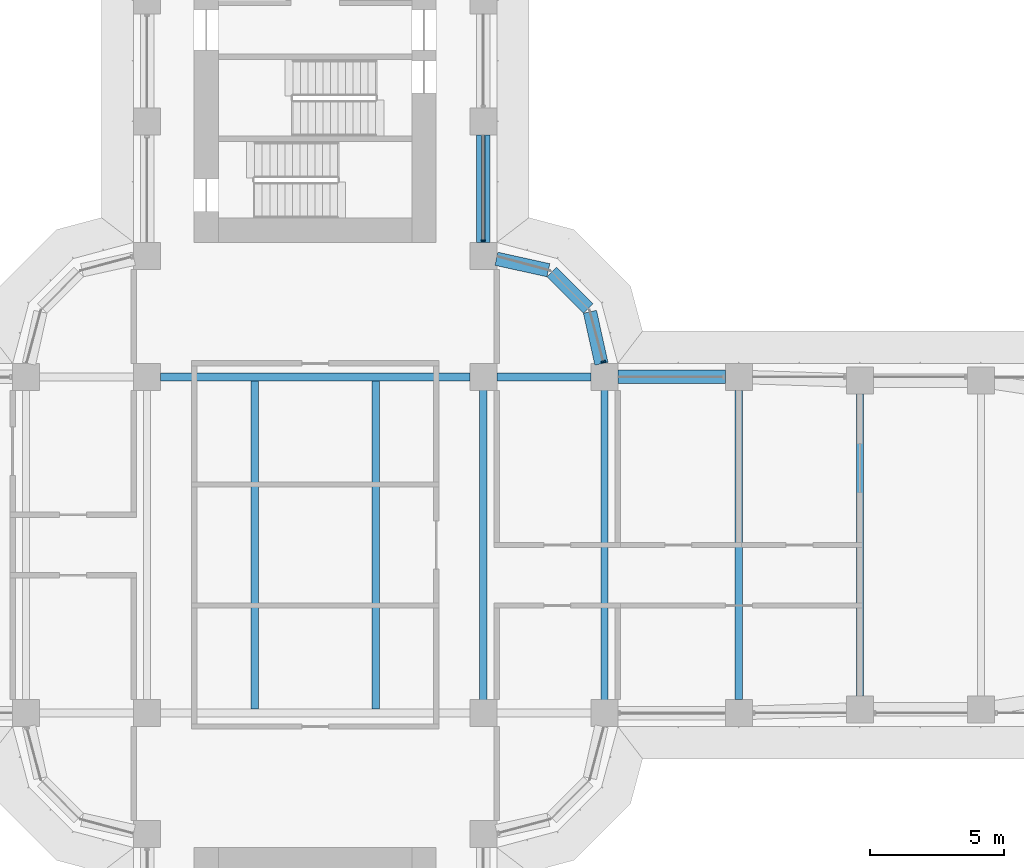
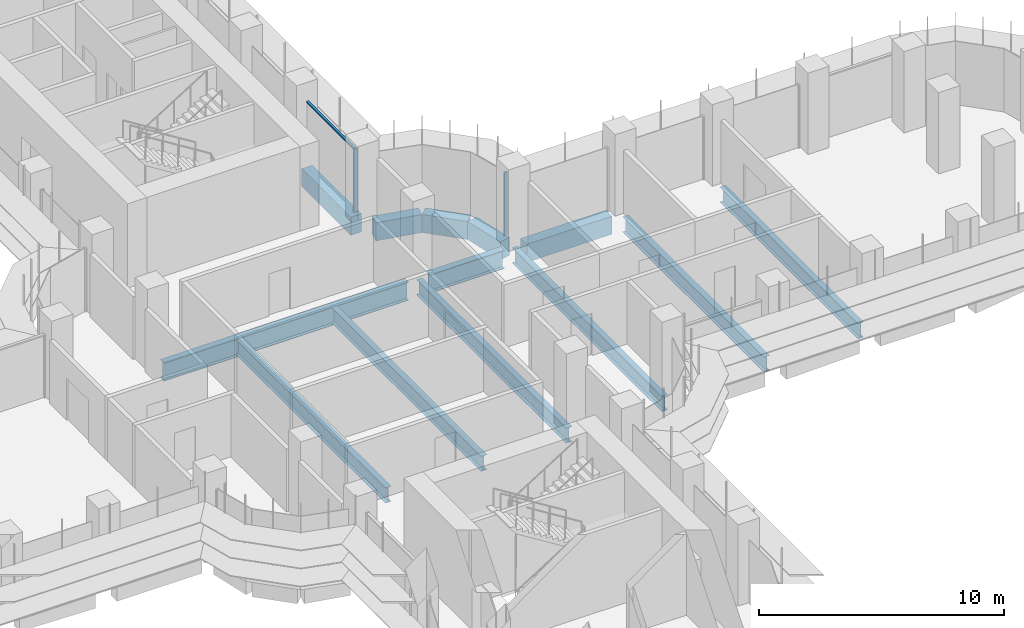
# One storey, part 8 of 23: 13 beams, 3 members, 2 elements without a shape of their own.
"""IFC4 building model written with IfcOpenShell, lengths in metres."""

from ifc_helpers import new_model, si_unit, direction, frame, origin, origin_2d, place, context, subcontext, project, spatial, polyline, rectangle, i_section, outline, extrude, source, transform, mapped, material, material_profile, profile_set, type_object, element, aggregate, save


model = new_model("IFC4")

# Units and contexts
model_context = context("Model", 3, precision=1e-05, world=origin(), true_north=direction((0.0, 1.0)))
body_context = subcontext(model_context, "Body", "Model", "MODEL_VIEW")
ifc_project = project(units=[si_unit("LENGTHUNIT", "METRE"), si_unit("AREAUNIT", "SQUARE_METRE"), si_unit("VOLUMEUNIT", "CUBIC_METRE"), si_unit("PLANEANGLEUNIT", "RADIAN"), si_unit("MASSUNIT", "GRAM", prefix="KILO")], contexts=[model_context])

# Site, building, storey
site_placement = place(None, origin())
site = spatial("IfcSite", under=ifc_project, at=site_placement, CompositionType="ELEMENT")
building_placement = place(site_placement, origin())
building = spatial("IfcBuilding", under=site, at=building_placement, Name="Zarbagh Exchange Tower", CompositionType="ELEMENT")
storey_placement = place(building_placement, frame((0.0, 0.0, 69.0)))
storey = spatial("IfcBuildingStorey", under=building, at=storey_placement, Name="L15", CompositionType="ELEMENT", Elevation=69.0)

# Beams
ifc_material_1 = material(Name="Steel ASTM A992 Gr 50", Category="steel")
ifc_material_profile_1 = material_profile(ifc_material_1, i_section(OverallWidth=0.2666015625, OverallDepth=0.76708984375, WebThickness=0.014892578125, FlangeThickness=0.023681640625, at=origin_2d()), Name="W30X124")
ifc_profile_set_1 = profile_set([ifc_material_profile_1], Name="Steel ASTM A992 Gr 50")
beam_type_1 = type_object("IfcBeamType", Name="Floor beam W30X124", PredefinedType="BEAM", material=ifc_profile_set_1)
for number, where, z_axis, x_axis, name in (
    (1, (-2.25, -6.09765625, -0.533447265625), (0.0, 1.0, 0.0), (-1.0, 0.0, 0.0), "Steel floor beam"),
    (2, (2.25, -6.09765625, -0.533447265625), (0.0, 1.0, 0.0), (-1.0, 0.0, 0.0), "Steel floor beam"),
    (3, (6.25, -6.09765625, -0.533447265625), (0.0, 1.0, 0.0), (-1.0, 0.0, 0.0), "Steel floor beam"),
    (4, (10.75, -6.09765625, -0.533447265625), (0.0, 1.0, 0.0), (-1.0, 0.0, 0.0), "Steel floor beam"),
):
    element("IfcBeam", number, at=place(storey_placement, frame(where, z_axis=z_axis, x_axis=x_axis)), inside=storey, type_object=beam_type_1, Name=name, PredefinedType="BEAM", context=body_context, shape_type="SweptSolid", body=[
        extrude(i_section(OverallWidth=0.2666015625, OverallDepth=0.76708984375, WebThickness=0.014892578125, FlangeThickness=0.023681640625, at=origin_2d()), origin(), (0.0, 0.0, 1.0), 12.1953125),
    ])
beam_1_placement = place(storey_placement, frame((15.75, -5.75, -0.533447265625), z_axis=(0.0, 1.0, 0.0), x_axis=(-1.0, 0.0, 0.0)))
element("IfcBeam", 5, at=beam_1_placement, inside=storey, type_object=beam_type_1, Name="Steel floor beam", PredefinedType="BEAM", context=body_context, shape_type="SweptSolid", body=[
    extrude(i_section(OverallWidth=0.2666015625, OverallDepth=0.76708984375, WebThickness=0.014892578125, FlangeThickness=0.023681640625, at=origin_2d()), origin(), (0.0, 0.0, 1.0), 11.5),
])
beam_2_placement = place(storey_placement, frame((20.25, -5.610107421875, -0.533447265625), z_axis=(0.0, 1.0, 0.0), x_axis=(-1.0, 0.0, 0.0)))
element("IfcBeam", 6, at=beam_2_placement, inside=storey, type_object=beam_type_1, Name="Steel floor beam", PredefinedType="BEAM", context=body_context, shape_type="SweptSolid", body=[
    extrude(i_section(OverallWidth=0.2666015625, OverallDepth=0.76708984375, WebThickness=0.014892578125, FlangeThickness=0.023681640625, at=origin_2d()), origin(), (0.0, 0.0, 1.0), 11.22021484375),
])
ifc_material_profile_2 = material_profile(ifc_material_1, i_section(OverallWidth=0.3046875, OverallDepth=0.91943359375, WebThickness=0.017333984375, FlangeThickness=0.02783203125, at=origin_2d()), Name="W36X170")
ifc_profile_set_2 = profile_set([ifc_material_profile_2], Name="Steel ASTM A992 Gr 50")
beam_type_2 = type_object("IfcBeamType", Name="Floor girder W36X170", PredefinedType="BEAM", material=ifc_profile_set_2)
beam_3_placement = place(storey_placement, frame((-5.75, 6.25, -0.609619140625), z_axis=(1.0, 0.0, 0.0), x_axis=(0.0, 1.0, 0.0)))
element("IfcBeam", 7, at=beam_3_placement, inside=storey, type_object=beam_type_2, Name="Steel girder", PredefinedType="BEAM", context=body_context, shape_type="SweptSolid", body=[
    extrude(i_section(OverallWidth=0.3046875, OverallDepth=0.91943359375, WebThickness=0.017333984375, FlangeThickness=0.02783203125, at=origin_2d()), origin(), (0.0, 0.0, 1.0), 11.5),
])
beam_4_placement = place(storey_placement, frame((6.75, 6.25, -0.609619140625), z_axis=(1.0, 0.0, 0.0), x_axis=(0.0, 1.0, 0.0)))
element("IfcBeam", 8, at=beam_4_placement, inside=storey, type_object=beam_type_2, Name="Steel girder", PredefinedType="BEAM", context=body_context, shape_type="SweptSolid", body=[
    extrude(i_section(OverallWidth=0.3046875, OverallDepth=0.91943359375, WebThickness=0.017333984375, FlangeThickness=0.02783203125, at=origin_2d()), origin(), (0.0, 0.0, 1.0), 3.5),
])
ifc_material_2 = material(Name="Concrete C60/75", Category="concrete")
ifc_material_profile_3 = material_profile(ifc_material_2, rectangle(XDim=0.5, YDim=0.89990234375, at=origin_2d()), Name="RC spandrel beam 500 x 900 C60/75")
ifc_profile_set_3 = profile_set([ifc_material_profile_3], Name="Concrete C60/75")
beam_type_3 = type_object("IfcBeamType", Name="RC spandrel beam 500 x 900 C60/75", PredefinedType="SPANDREL", material=ifc_profile_set_3)
beam_5_placement = place(storey_placement, frame((6.25, 15.25, -0.60009765625), z_axis=(0.0, -1.0, 0.0), x_axis=(1.0, 0.0, 0.0)))
element("IfcBeam", 9, at=beam_5_placement, inside=storey, type_object=beam_type_3, Name="RC spandrel beam", PredefinedType="SPANDREL", context=body_context, shape_type="SweptSolid", body=[
    extrude(rectangle(XDim=0.5, YDim=0.89990234375, at=origin_2d()), origin(), (0.0, 0.0, 1.0), 4.0),
])
beam_6_placement = place(storey_placement, frame((6.73828125, 10.64208984375, -0.60009765625), z_axis=(0.976375426825, -0.216081063242, 0.0), x_axis=(0.216081063242, 0.976375426825, 0.0)))
element("IfcBeam", 10, at=beam_6_placement, inside=storey, type_object=beam_type_3, Name="RC spandrel beam", PredefinedType="SPANDREL", context=body_context, shape_type="SweptSolid", body=[
    extrude(rectangle(XDim=0.5, YDim=0.89990234375, at=origin_2d()), origin(), (0.0, 0.0, 1.0), 1.978271484375),
])
beam_7_placement = place(storey_placement, frame((8.792724609375, 10.147216796875, -0.60009765625), z_axis=(0.707106781187, -0.707106781187, 0.0), x_axis=(0.707106781187, 0.707106781187, 0.0)))
element("IfcBeam", 11, at=beam_7_placement, inside=storey, type_object=beam_type_3, Name="RC spandrel beam", PredefinedType="SPANDREL", context=body_context, shape_type="SweptSolid", body=[
    extrude(rectangle(XDim=0.5, YDim=0.89990234375, at=origin_2d()), origin(), (0.0, 0.0, 1.0), 1.91552734375),
])
beam_8_placement = place(storey_placement, frame((10.214599609375, 8.669921875, -0.60009765625), z_axis=(0.216081063242, -0.976375426825, 0.0), x_axis=(0.976375426825, 0.216081063242, 0.0)))
element("IfcBeam", 12, at=beam_8_placement, inside=storey, type_object=beam_type_3, Name="RC spandrel beam", PredefinedType="SPANDREL", context=body_context, shape_type="SweptSolid", body=[
    extrude(rectangle(XDim=0.5, YDim=0.89990234375, at=origin_2d()), origin(), (0.0, 0.0, 1.0), 1.978271484375),
])
beam_9_placement = place(storey_placement, frame((11.25, 6.25, -0.60009765625), z_axis=(1.0, 0.0, 0.0), x_axis=(0.0, 1.0, 0.0)))
element("IfcBeam", 13, at=beam_9_placement, inside=storey, type_object=beam_type_3, Name="RC spandrel beam", PredefinedType="SPANDREL", context=body_context, shape_type="SweptSolid", body=[
    extrude(rectangle(XDim=0.5, YDim=0.89990234375, at=origin_2d()), origin(), (0.0, 0.0, 1.0), 4.0),
])

# Curtain wall, member
ifc_material_3 = material(Name="Anodised aluminium frame and glazing", Category="aluminium")
curtain_wall_type = type_object("IfcCurtainWallType", Name="CWA Ribbon glazing, lower zones", PredefinedType="NOTDEFINED", material=ifc_material_3)
curtain_wall_1_placement = place(storey_placement, origin())
curtain_wall_1 = element("IfcCurtainWall", 14, at=curtain_wall_1_placement, inside=storey, type_object=curtain_wall_type, Name="CWA17 curtain wall", PredefinedType="NOTDEFINED")
ifc_material_4 = material(Name="Anodised aluminium frame", Category="aluminium")
member_type_1 = type_object("IfcMemberType", Name="MUA Mullion, anodised aluminium frame", PredefinedType="MULLION", material=ifc_material_4)
shared_shape_1 = source(origin(), body_context, "Body", "SweptSolid", [
    extrude(outline(polyline([(0.0, -0.080078125), (0.06005859375, -0.080078125), (0.06005859375, 0.080078125), (0.0, 0.080078125), (0.0, -0.080078125)])), origin(), (0.0, 0.0, 1.0), 3.14990234375),
])
placement = place(storey_placement, origin())
member_1 = element("IfcMember", 15, at=placement, type_object=member_type_1, Name="CWA17 mullion 1.1", PredefinedType="MULLION", context=body_context, shape_type="MappedRepresentation", body=[
    mapped(shared_shape_1, transform((10.7216796875, 6.7900390625, 0.0), x_axis=(-0.258824779902, 0.965924289636, 0.0), y_axis=(-0.965924289636, -0.258824779902, 0.0), z_axis=(0.0, 0.0, 1.0))),
])
aggregate(curtain_wall_1, [member_1])

# Curtain wall, members
curtain_wall_2_placement = place(storey_placement, origin())
curtain_wall_2 = element("IfcCurtainWall", 16, at=curtain_wall_2_placement, inside=storey, type_object=curtain_wall_type, Name="CWA20 curtain wall", PredefinedType="NOTDEFINED")
member_2 = element("IfcMember", 17, at=placement, type_object=member_type_1, Name="CWA20 mullion 1.1", PredefinedType="MULLION", context=body_context, shape_type="MappedRepresentation", body=[
    mapped(shared_shape_1, transform((6.25, 11.2900390625, 0.0), x_axis=(0.0, 1.0, 0.0), y_axis=(-1.0, 0.0, 0.0), z_axis=(0.0, 0.0, 1.0))),
])
member_type_2 = type_object("IfcMemberType", Name="TRA Transom, anodised aluminium frame", PredefinedType="USERDEFINED", material=ifc_material_4)
shared_shape_2 = source(origin(), body_context, "Body", "SweptSolid", [
    extrude(outline(polyline([(-0.06005859375, -0.06005859375), (0.0, -0.06005859375), (0.0, 0.06005859375), (-0.06005859375, 0.06005859375), (-0.06005859375, -0.06005859375)])), origin(), (0.0, 0.0, 1.0), 3.860107421875),
])
member_3 = element("IfcMember", 18, at=placement, type_object=member_type_2, Name="CWA20 transom 1.1", ObjectType="TRANSOM", PredefinedType="USERDEFINED", context=body_context, shape_type="MappedRepresentation", body=[
    mapped(shared_shape_2, transform((6.25, 11.35009765625, 3.14990234375), x_axis=(0.0, 0.0, 1.0), y_axis=(1.0, 0.0, 0.0), z_axis=(0.0, 1.0, 0.0))),
])
aggregate(curtain_wall_2, [member_2, member_3])

save(model, "model.ifc")
